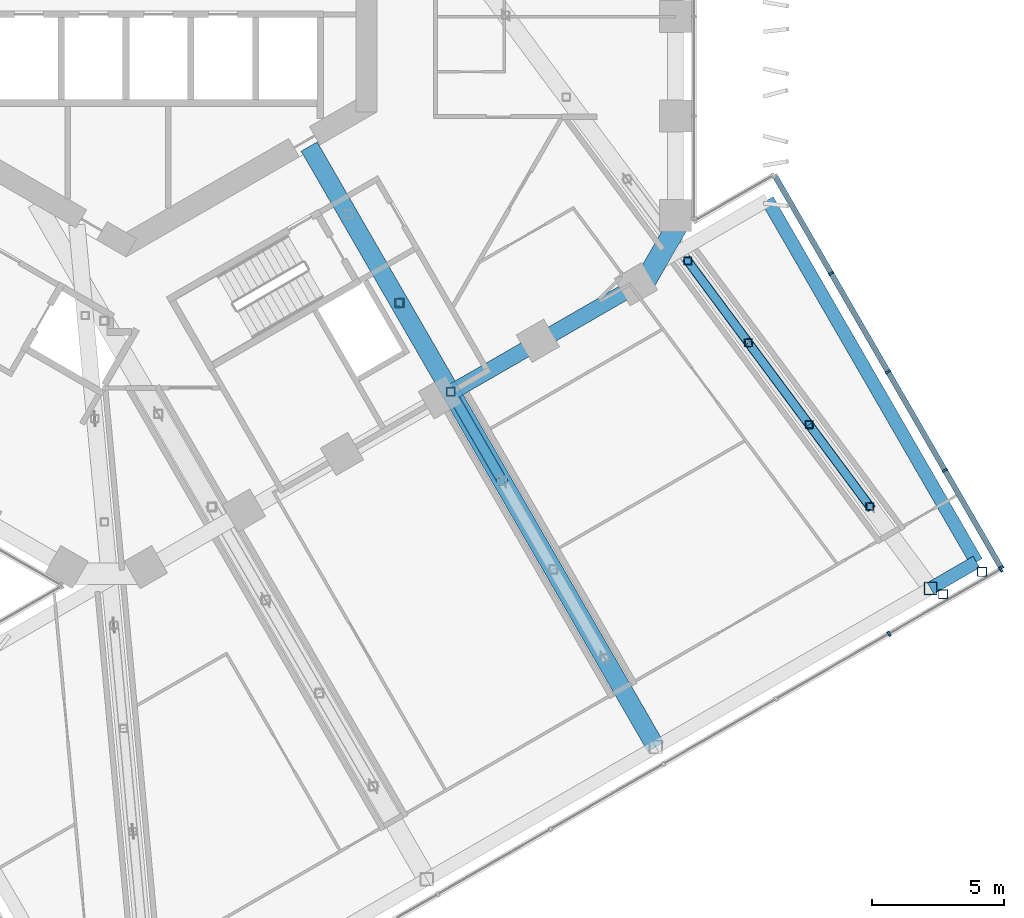
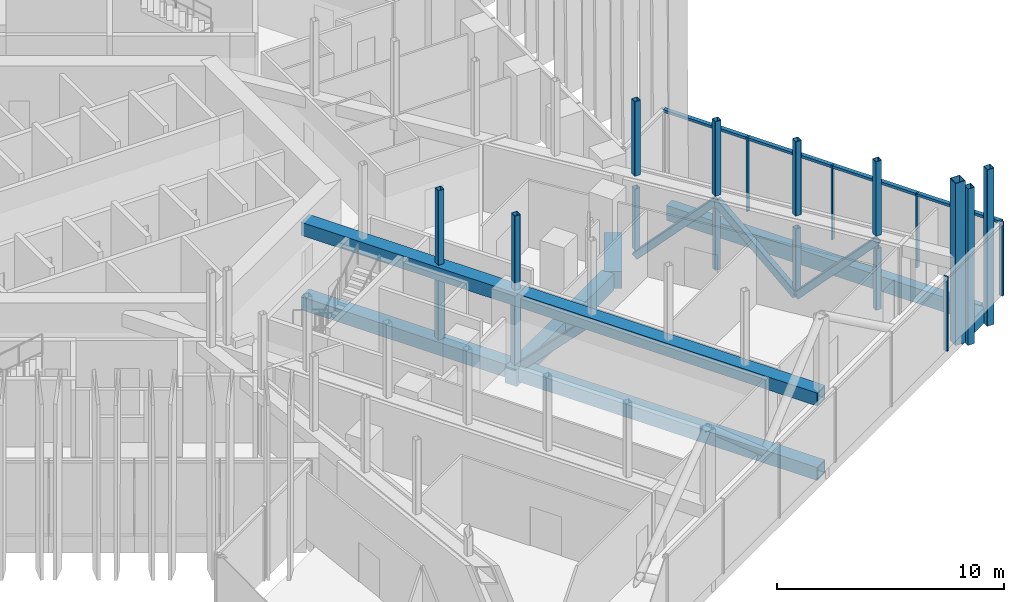
# One storey, part 6 of 29: 28 members, 5 beams, 2 elements without a shape of their own.
"""IFC4 building model written with IfcOpenShell, lengths in metres."""

from ifc_helpers import new_model, si_unit, direction, frame, origin, origin_2d, place, context, subcontext, project, spatial, rectangle, hollow_rectangle, extrude, material, layer, layer_set, material_profile, profile_set, type_object, element, aggregate, save


model = new_model("IFC4")

# Units and contexts
model_context = context("Model", 3, precision=1e-05, world=origin(), true_north=direction((0.0, 1.0)))
body_context = subcontext(model_context, "Body", "Model", "MODEL_VIEW")
ifc_project = project(units=[si_unit("LENGTHUNIT", "METRE"), si_unit("AREAUNIT", "SQUARE_METRE"), si_unit("VOLUMEUNIT", "CUBIC_METRE"), si_unit("PLANEANGLEUNIT", "RADIAN"), si_unit("MASSUNIT", "GRAM", prefix="KILO")], contexts=[model_context])

# Site, building, storey
site_placement = place(None, origin())
site = spatial("IfcSite", under=ifc_project, at=site_placement, CompositionType="ELEMENT")
building_placement = place(site_placement, origin())
building = spatial("IfcBuilding", under=site, at=building_placement, Name="Ayvan Gate Tower", CompositionType="ELEMENT")
storey_placement = place(building_placement, frame((0.0, 0.0, 66.300048828125)))
storey = spatial("IfcBuildingStorey", under=building, at=storey_placement, Name="L17", CompositionType="ELEMENT", Elevation=66.300048828125)

# Beam
ifc_material_1 = material(Name="Concrete C40/50", Category="concrete")
ifc_material_profile_1 = material_profile(ifc_material_1, rectangle(XDim=0.800048828125, YDim=0.89990234375, at=origin_2d()), Name="RC 800x900")
ifc_profile_set_1 = profile_set([ifc_material_profile_1], Name="Concrete C40/50")
beam_type_1 = type_object("IfcBeamType", Name="Corner spandrel beam RC 800x900 C40/50", PredefinedType="BEAM", material=ifc_profile_set_1)
beam_1_placement = place(storey_placement, frame((19.47509765625, -12.1708984375, -0.85009765625), z_axis=(0.499990139034, 0.866031096941, 0.0), x_axis=(-0.866031096941, 0.499990139034, 0.0)))
element("IfcBeam", 1, at=beam_1_placement, inside=storey, type_object=beam_type_1, Name="SB-L17-36", PredefinedType="BEAM", context=body_context, shape_type="SweptSolid", body=[
    extrude(rectangle(XDim=0.800048828125, YDim=0.89990234375, at=origin_2d()), origin(), (0.0, 0.0, 1.0), 3.0),
])

# Members
ifc_material_2 = material(Name="Steel S460NH", Category="steel")
ifc_material_profile_2 = material_profile(ifc_material_2, hollow_rectangle(XDim=0.35009765625, YDim=0.35009765625, WallThickness=0.01611328125, InnerFilletRadius=0.01611328125, OuterFilletRadius=0.02392578125, at=origin_2d()), Name="RHS 350x350x16")
ifc_profile_set_2 = profile_set([ifc_material_profile_2], Name="Steel S460NH")
member_type_1 = type_object("IfcMemberType", Name="Sky bar corner post B1 RHS 350x350x16", PredefinedType="POST", material=ifc_profile_set_2)
for number, where, z_axis, x_axis, name in (
    (2, (32.377197265625, -22.879150390625, -1.199951171875), (0.0, 0.0, 1.0), (1.0, 0.0, 0.0), "SBX1-C-P-1"),
    (3, (30.905029296875, -23.72900390625, -1.199951171875), (0.0, 0.0, 1.0), (1.0, 0.0, 0.0), "SBX1-C-P-2"),
):
    element("IfcMember", number, at=place(storey_placement, frame(where, z_axis=z_axis, x_axis=x_axis)), inside=storey, type_object=member_type_1, Name=name, PredefinedType="POST", context=body_context, shape_type="SweptSolid", body=[
        extrude(hollow_rectangle(XDim=0.35009765625, YDim=0.35009765625, WallThickness=0.01611328125, InnerFilletRadius=0.01611328125, OuterFilletRadius=0.02392578125, at=origin_2d()), origin(), (0.0, 0.0, 1.0), 8.39990234375),
    ])

# Beams
ifc_material_profile_3 = material_profile(ifc_material_1, rectangle(XDim=0.5, YDim=0.800048828125, at=origin_2d()), Name="RC 500x800")
ifc_profile_set_3 = profile_set([ifc_material_profile_3], Name="Concrete C40/50")
beam_type_2 = type_object("IfcBeamType", Name="Sky bar edge beam RC 500x800 C40/50", PredefinedType="BEAM", material=ifc_profile_set_3)
beam_2_placement = place(storey_placement, frame((24.26220703125, -8.823486328125, -0.800048828125), z_axis=(0.500009581873, -0.866019871617, 0.0), x_axis=(0.866019871617, 0.500009581873, 0.0)))
element("IfcBeam", 4, at=beam_2_placement, inside=storey, type_object=beam_type_2, Name="EB-B1-L17-2", PredefinedType="BEAM", context=body_context, shape_type="SweptSolid", body=[
    extrude(rectangle(XDim=0.5, YDim=0.800048828125, at=origin_2d()), origin(), (0.0, 0.0, 1.0), 15.800048828125),
])
beam_3_placement = place(storey_placement, frame((32.162353515625, -22.506591796875, -0.800048828125), z_axis=(-0.866041268327, -0.499972520799, 0.0), x_axis=(0.499972520799, -0.866041268327, 0.0)))
element("IfcBeam", 5, at=beam_3_placement, inside=storey, type_object=beam_type_2, Name="EB-B1-L17-3", PredefinedType="BEAM", context=body_context, shape_type="SweptSolid", body=[
    extrude(rectangle(XDim=0.5, YDim=0.800048828125, at=origin_2d()), origin(), (0.0, 0.0, 1.0), 2.0),
])

# Members
ifc_material_profile_4 = material_profile(ifc_material_2, hollow_rectangle(XDim=0.35009765625, YDim=0.35009765625, WallThickness=0.02001953125, InnerFilletRadius=0.02001953125, OuterFilletRadius=0.030029296875, at=origin_2d()), Name="RHS 350x350x20")
ifc_profile_set_4 = profile_set([ifc_material_profile_4], Name="Steel S460NH")
member_type_2 = type_object("IfcMemberType", Name="Sky bar end truss brace B1 RHS 350x350x20", PredefinedType="BRACE", material=ifc_profile_set_4)
member_1_placement = place(storey_placement, frame((21.243896484375, -11.120849609375, -0.75), z_axis=(0.413405416417, -0.55737439103, 0.720020659357), x_axis=(0.803187953226, 0.595725701806, 0.0)))
element("IfcMember", 6, at=member_1_placement, inside=storey, type_object=member_type_2, Name="SBT1-4-D-6", PredefinedType="BRACE", context=body_context, shape_type="SweptSolid", body=[
    extrude(hollow_rectangle(XDim=0.35009765625, YDim=0.35009765625, WallThickness=0.02001953125, InnerFilletRadius=0.02001953125, OuterFilletRadius=0.030029296875, at=origin_2d()), origin(), (0.0, 0.0, 1.0), 5.555419921875),
])
member_2_placement = place(storey_placement, frame((23.54052734375, -14.21728515625, 3.25), z_axis=(0.413368979497, -0.557384517007, -0.720033740175), x_axis=(0.803218254453, 0.595684845966, 0.0)))
element("IfcMember", 7, at=member_2_placement, inside=storey, type_object=member_type_2, Name="SBT1-4-D-7", PredefinedType="BRACE", context=body_context, shape_type="SweptSolid", body=[
    extrude(hollow_rectangle(XDim=0.35009765625, YDim=0.35009765625, WallThickness=0.02001953125, InnerFilletRadius=0.02001953125, OuterFilletRadius=0.030029296875, at=origin_2d()), origin(), (0.0, 0.0, 1.0), 5.55517578125),
])
member_3_placement = place(storey_placement, frame((25.8369140625, -17.313720703125, -0.75), z_axis=(0.413405416417, -0.55737439103, 0.720020659357), x_axis=(0.803187953226, 0.595725701806, 0.0)))
element("IfcMember", 8, at=member_3_placement, inside=storey, type_object=member_type_2, Name="SBT1-4-D-8", PredefinedType="BRACE", context=body_context, shape_type="SweptSolid", body=[
    extrude(hollow_rectangle(XDim=0.35009765625, YDim=0.35009765625, WallThickness=0.02001953125, InnerFilletRadius=0.02001953125, OuterFilletRadius=0.030029296875, at=origin_2d()), origin(), (0.0, 0.0, 1.0), 5.555419921875),
])
ifc_material_profile_5 = material_profile(ifc_material_2, hollow_rectangle(XDim=0.280029296875, YDim=0.280029296875, WallThickness=0.01611328125, InnerFilletRadius=0.01611328125, OuterFilletRadius=0.02392578125, at=origin_2d()), Name="RHS 280x280x16")
ifc_profile_set_5 = profile_set([ifc_material_profile_5], Name="Steel S460NH")
member_type_3 = type_object("IfcMemberType", Name="Sky bar end truss post B1 RHS 280x280x16", PredefinedType="POST", material=ifc_profile_set_5)
for number, where, z_axis, x_axis, name in (
    (9, (21.243896484375, -11.120849609375, -0.400146484375), (0.0, 0.0, 1.0), (1.0, 0.0, 0.0), "SBT1-4-P-5"),
    (10, (23.54052734375, -14.21728515625, -0.400146484375), (0.0, 0.0, 1.0), (1.0, 0.0, 0.0), "SBT1-4-P-6"),
    (11, (25.8369140625, -17.313720703125, -0.400146484375), (0.0, 0.0, 1.0), (1.0, 0.0, 0.0), "SBT1-4-P-7"),
    (12, (28.133544921875, -20.41015625, -0.400146484375), (0.0, 0.0, 1.0), (1.0, 0.0, 0.0), "SBT1-4-P-8"),
):
    element("IfcMember", number, at=place(storey_placement, frame(where, z_axis=z_axis, x_axis=x_axis)), inside=storey, type_object=member_type_3, Name=name, PredefinedType="POST", context=body_context, shape_type="SweptSolid", body=[
        extrude(hollow_rectangle(XDim=0.280029296875, YDim=0.280029296875, WallThickness=0.01611328125, InnerFilletRadius=0.01611328125, OuterFilletRadius=0.02392578125, at=origin_2d()), origin(), (0.0, 0.0, 1.0), 3.300048828125),
    ])
ifc_material_3 = material(Name="Steel S460ML", Category="steel")
ifc_material_profile_6 = material_profile(ifc_material_3, hollow_rectangle(XDim=0.5, YDim=0.5, WallThickness=0.030029296875, at=origin_2d()), Name="BOX 500x500x30")
ifc_profile_set_6 = profile_set([ifc_material_profile_6], Name="Steel S460ML")
member_type_4 = type_object("IfcMemberType", Name="Sky bar end wall post BOX 500x500x30", PredefinedType="POST", material=ifc_profile_set_6)
member_4_placement = place(storey_placement, frame((30.43017578125, -23.506591796875, -1.10009765625), z_axis=(0.0, 0.0, 1.0), x_axis=(1.0, 0.0, 0.0)))
element("IfcMember", 13, at=member_4_placement, inside=storey, type_object=member_type_4, Name="EXO-B1-P4", PredefinedType="POST", context=body_context, shape_type="SweptSolid", body=[
    extrude(hollow_rectangle(XDim=0.5, YDim=0.5, WallThickness=0.030029296875, at=origin_2d()), origin(), (0.0, 0.0, 1.0), 8.699951171875),
])
ifc_material_profile_7 = material_profile(ifc_material_2, hollow_rectangle(XDim=0.39990234375, YDim=0.39990234375, WallThickness=0.02001953125, InnerFilletRadius=0.02001953125, OuterFilletRadius=0.030029296875, at=origin_2d()), Name="RHS 400x400x20")
ifc_profile_set_7 = profile_set([ifc_material_profile_7], Name="Steel S460NH")
member_type_5 = type_object("IfcMemberType", Name="Sky bar truss brace B1 RHS 400x400x20", PredefinedType="BRACE", material=ifc_profile_set_7)
member_5_placement = place(storey_placement, frame((12.280517578125, -16.0703125, -0.75), z_axis=(0.348043668331, -0.602887175195, 0.717908531026), x_axis=(0.866046181402, 0.499964010384, 0.0)))
element("IfcMember", 14, at=member_5_placement, inside=storey, type_object=member_type_5, Name="SBT1-3-D-4", PredefinedType="BRACE", context=body_context, shape_type="SweptSolid", body=[
    extrude(hollow_rectangle(XDim=0.39990234375, YDim=0.39990234375, WallThickness=0.02001953125, InnerFilletRadius=0.02001953125, OuterFilletRadius=0.030029296875, at=origin_2d()), origin(), (0.0, 0.0, 1.0), 5.57177734375),
])
ifc_material_profile_8 = material_profile(ifc_material_3, hollow_rectangle(XDim=0.699951171875, YDim=0.699951171875, WallThickness=0.044921875, at=origin_2d()), Name="BOX 700x700x45")
ifc_profile_set_8 = profile_set([ifc_material_profile_8], Name="Steel S460ML")
member_type_6 = type_object("IfcMemberType", Name="Sky bar truss chord B1 BOX 700x700x45", PredefinedType="CHORD", material=ifc_profile_set_8)
for number, where, z_axis, x_axis, name in (
    (15, (6.9267578125, -6.79736328125, -0.75), (0.499997276776, -0.866026976033, 0.0), (0.866026976033, 0.499997276776, 0.0), "SBT1-3-BC-1"),
    (16, (6.9267578125, -6.79736328125, 3.25), (0.499997276776, -0.866026976033, 0.0), (0.866026976033, 0.499997276776, 0.0), "SBT1-3-TC-1"),
):
    element("IfcMember", number, at=place(storey_placement, frame(where, z_axis=z_axis, x_axis=x_axis)), inside=storey, type_object=member_type_6, Name=name, PredefinedType="CHORD", context=body_context, shape_type="SweptSolid", body=[
        extrude(hollow_rectangle(XDim=0.699951171875, YDim=0.699951171875, WallThickness=0.044921875, at=origin_2d()), origin(), (0.0, 0.0, 1.0), 26.222412109375),
    ])
ifc_material_profile_9 = material_profile(ifc_material_2, hollow_rectangle(XDim=0.35009765625, YDim=0.35009765625, WallThickness=0.01611328125, InnerFilletRadius=0.01611328125, OuterFilletRadius=0.02392578125, at=origin_2d()), Name="RHS 350x350x16")
ifc_profile_set_9 = profile_set([ifc_material_profile_9], Name="Steel S460NH")
member_type_7 = type_object("IfcMemberType", Name="Sky bar truss post B1 RHS 350x350x16", PredefinedType="POST", material=ifc_profile_set_9)
for number, where, z_axis, x_axis, name in (
    (17, (10.341064453125, -12.711181640625, -0.400146484375), (0.0, 0.0, 1.0), (1.0, 0.0, 0.0), "SBT1-3-P-2"),
    (18, (12.280517578125, -16.0703125, -0.400146484375), (0.0, 0.0, 1.0), (1.0, 0.0, 0.0), "SBT1-3-P-3"),
):
    element("IfcMember", number, at=place(storey_placement, frame(where, z_axis=z_axis, x_axis=x_axis)), inside=storey, type_object=member_type_7, Name=name, PredefinedType="POST", context=body_context, shape_type="SweptSolid", body=[
        extrude(hollow_rectangle(XDim=0.35009765625, YDim=0.35009765625, WallThickness=0.01611328125, InnerFilletRadius=0.01611328125, OuterFilletRadius=0.02392578125, at=origin_2d()), origin(), (0.0, 0.0, 1.0), 3.300048828125),
    ])
ifc_material_profile_10 = material_profile(ifc_material_2, hollow_rectangle(XDim=0.300048828125, YDim=0.300048828125, WallThickness=0.01611328125, InnerFilletRadius=0.01611328125, OuterFilletRadius=0.02392578125, at=origin_2d()), Name="RHS 300x300x16")
ifc_profile_set_10 = profile_set([ifc_material_profile_10], Name="Steel S460NH")
member_type_8 = type_object("IfcMemberType", Name="Sky bar upper post B1 RHS 300x300x16", PredefinedType="POST", material=ifc_profile_set_10)
for number, where, z_axis, x_axis, name in (
    (19, (10.341064453125, -12.711181640625, 3.599853515625), (0.0, 0.0, 1.0), (1.0, 0.0, 0.0), "SBT1-3-U-2"),
    (20, (12.280517578125, -16.0703125, 3.599853515625), (0.0, 0.0, 1.0), (1.0, 0.0, 0.0), "SBT1-3-U-3"),
    (21, (21.243896484375, -11.120849609375, 3.599853515625), (0.0, 0.0, 1.0), (1.0, 0.0, 0.0), "SBT1-4-U-5"),
    (22, (23.54052734375, -14.21728515625, 3.599853515625), (0.0, 0.0, 1.0), (1.0, 0.0, 0.0), "SBT1-4-U-6"),
    (23, (25.8369140625, -17.313720703125, 3.599853515625), (0.0, 0.0, 1.0), (1.0, 0.0, 0.0), "SBT1-4-U-7"),
    (24, (28.133544921875, -20.41015625, 3.599853515625), (0.0, 0.0, 1.0), (1.0, 0.0, 0.0), "SBT1-4-U-8"),
):
    element("IfcMember", number, at=place(storey_placement, frame(where, z_axis=z_axis, x_axis=x_axis)), inside=storey, type_object=member_type_8, Name=name, PredefinedType="POST", context=body_context, shape_type="SweptSolid", body=[
        extrude(hollow_rectangle(XDim=0.300048828125, YDim=0.300048828125, WallThickness=0.01611328125, InnerFilletRadius=0.01611328125, OuterFilletRadius=0.02392578125, at=origin_2d()), origin(), (0.0, 0.0, 1.0), 4.0),
    ])

# Beams
ifc_material_profile_11 = material_profile(ifc_material_1, rectangle(XDim=0.60009765625, YDim=0.89990234375, at=origin_2d()), Name="RC 600x900")
ifc_profile_set_11 = profile_set([ifc_material_profile_11], Name="Concrete C40/50")
beam_type_3 = type_object("IfcBeamType", Name="Spandrel beam RC 600x900 C40/50", PredefinedType="BEAM", material=ifc_profile_set_11)
for number, where, z_axis, x_axis, name in (
    (25, (11.891845703125, -16.3291015625, -0.85009765625), (0.866002692346, 0.500039335303, 0.0), (-0.500039335303, 0.866002692346, 0.0), "SB-L17-34"),
    (26, (15.588134765625, -14.19482421875, -0.85009765625), (0.86604176052, 0.499971668232, 0.0), (-0.499971668232, 0.86604176052, 0.0), "SB-L17-35"),
):
    element("IfcBeam", number, at=place(storey_placement, frame(where, z_axis=z_axis, x_axis=x_axis)), inside=storey, type_object=beam_type_3, Name=name, PredefinedType="BEAM", context=body_context, shape_type="SweptSolid", body=[
        extrude(rectangle(XDim=0.60009765625, YDim=0.89990234375, at=origin_2d()), origin(), (0.0, 0.0, 1.0), 4.268310546875),
    ])

# Curtain wall, members
ifc_material_4 = material(Name="Bronze anodised aluminium", Category="aluminium")
ifc_layer = layer(ifc_material_4, 0.199951171875)
ifc_layer_set = layer_set([ifc_layer], Name="Bronze anodised aluminium")
curtain_wall_type = type_object("IfcCurtainWallType", Name="Stick curtain wall CW-4", PredefinedType="NOTDEFINED", material=ifc_layer_set)
curtain_wall_1_placement = place(storey_placement, origin())
curtain_wall_1 = element("IfcCurtainWall", 27, at=curtain_wall_1_placement, inside=storey, type_object=curtain_wall_type, Name="Stick curtain wall CW-4 L17", PredefinedType="NOTDEFINED")
ifc_material_profile_12 = material_profile(ifc_material_4, rectangle(XDim=0.199951171875, YDim=0.080078125, at=origin_2d()), Name="Stick curtain wall CW-4 mullion 200 x 80")
ifc_profile_set_12 = profile_set([ifc_material_profile_12], Name="Bronze anodised aluminium")
member_type_9 = type_object("IfcMemberType", Name="Stick curtain wall CW-4 mullion 200 x 80", PredefinedType="MULLION", material=ifc_profile_set_12)
member_6_placement = place(storey_placement, frame((28.853271484375, -25.225341796875, 0.0), z_axis=(0.0, 0.0, 1.0), x_axis=(0.5, -0.866025403784, 0.0)))
member_6 = element("IfcMember", 28, at=member_6_placement, type_object=member_type_9, Name="CW-4 mullion 8", PredefinedType="MULLION", context=body_context, shape_type="SweptSolid", body=[
    extrude(rectangle(XDim=0.199951171875, YDim=0.080078125, at=origin_2d()), origin(), (0.0, 0.0, 1.0), 4.0),
])
member_7_placement = place(storey_placement, frame((33.083740234375, -22.782958984375, 0.0), z_axis=(0.0, 0.0, 1.0), x_axis=(0.5, -0.866025403784, 0.0)))
member_7 = element("IfcMember", 29, at=member_7_placement, type_object=member_type_9, Name="CW-4 mullion 9", PredefinedType="MULLION", context=body_context, shape_type="SweptSolid", body=[
    extrude(rectangle(XDim=0.199951171875, YDim=0.080078125, at=origin_2d()), origin(), (0.0, 0.0, 1.0), 4.0),
])
aggregate(curtain_wall_1, [member_6, member_7])

curtain_wall_2_placement = place(storey_placement, origin())
curtain_wall_2 = element("IfcCurtainWall", 30, at=curtain_wall_2_placement, inside=storey, type_object=curtain_wall_type, Name="Stick curtain wall CW-4 L17", PredefinedType="NOTDEFINED")
member_8_placement = place(storey_placement, frame((33.098388671875, -22.728271484375, 0.0), z_axis=(0.0, 0.0, 1.0), x_axis=(0.866025403784, 0.5, 0.0)))
member_8 = element("IfcMember", 31, at=member_8_placement, type_object=member_type_9, Name="CW-4 mullion 1", PredefinedType="MULLION", context=body_context, shape_type="SweptSolid", body=[
    extrude(rectangle(XDim=0.199951171875, YDim=0.080078125, at=origin_2d()), origin(), (0.0, 0.0, 1.0), 4.0),
])
member_9_placement = place(storey_placement, frame((30.968505859375, -19.0390625, 0.0), z_axis=(0.0, 0.0, 1.0), x_axis=(0.866025403784, 0.5, 0.0)))
member_9 = element("IfcMember", 32, at=member_9_placement, type_object=member_type_9, Name="CW-4 mullion 2", PredefinedType="MULLION", context=body_context, shape_type="SweptSolid", body=[
    extrude(rectangle(XDim=0.199951171875, YDim=0.080078125, at=origin_2d()), origin(), (0.0, 0.0, 1.0), 4.0),
])
member_10_placement = place(storey_placement, frame((28.818359375, -15.31494140625, 0.0), z_axis=(0.0, 0.0, 1.0), x_axis=(0.866025403784, 0.5, 0.0)))
member_10 = element("IfcMember", 33, at=member_10_placement, type_object=member_type_9, Name="CW-4 mullion 3", PredefinedType="MULLION", context=body_context, shape_type="SweptSolid", body=[
    extrude(rectangle(XDim=0.199951171875, YDim=0.080078125, at=origin_2d()), origin(), (0.0, 0.0, 1.0), 4.0),
])
member_11_placement = place(storey_placement, frame((26.66845703125, -11.591064453125, 0.0), z_axis=(0.0, 0.0, 1.0), x_axis=(0.866025403784, 0.5, 0.0)))
member_11 = element("IfcMember", 34, at=member_11_placement, type_object=member_type_9, Name="CW-4 mullion 4", PredefinedType="MULLION", context=body_context, shape_type="SweptSolid", body=[
    extrude(rectangle(XDim=0.199951171875, YDim=0.080078125, at=origin_2d()), origin(), (0.0, 0.0, 1.0), 4.0),
])
ifc_material_profile_13 = material_profile(ifc_material_4, rectangle(XDim=0.199951171875, YDim=0.139892578125, at=origin_2d()), Name="Stick curtain wall CW-4 transom 200 x 140")
ifc_profile_set_13 = profile_set([ifc_material_profile_13], Name="Bronze anodised aluminium")
member_type_10 = type_object("IfcMemberType", Name="Stick curtain wall CW-4 transom 200 x 140", PredefinedType="USERDEFINED", material=ifc_profile_set_13)
member_12_placement = place(storey_placement, frame((33.098388671875, -22.728271484375, 3.929931640625), z_axis=(-0.499990325971, 0.866030989016, 0.0), x_axis=(-0.866030989016, -0.499990325971, 0.0)))
member_12 = element("IfcMember", 35, at=member_12_placement, type_object=member_type_10, Name="CW-4 transom 1", ObjectType="TRANSOM", PredefinedType="USERDEFINED", context=body_context, shape_type="SweptSolid", body=[
    extrude(rectangle(XDim=0.199951171875, YDim=0.139892578125, at=origin_2d()), origin(), (0.0, 0.0, 1.0), 17.119873046875),
])
aggregate(curtain_wall_2, [member_8, member_9, member_10, member_11, member_12])

save(model, "model.ifc")
